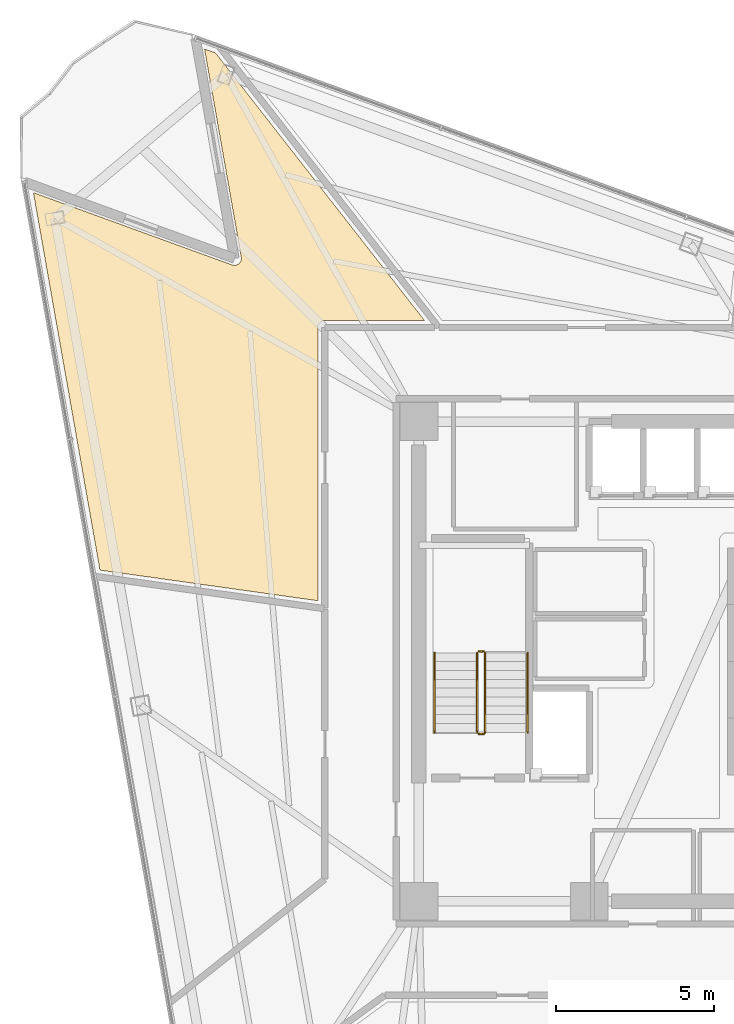
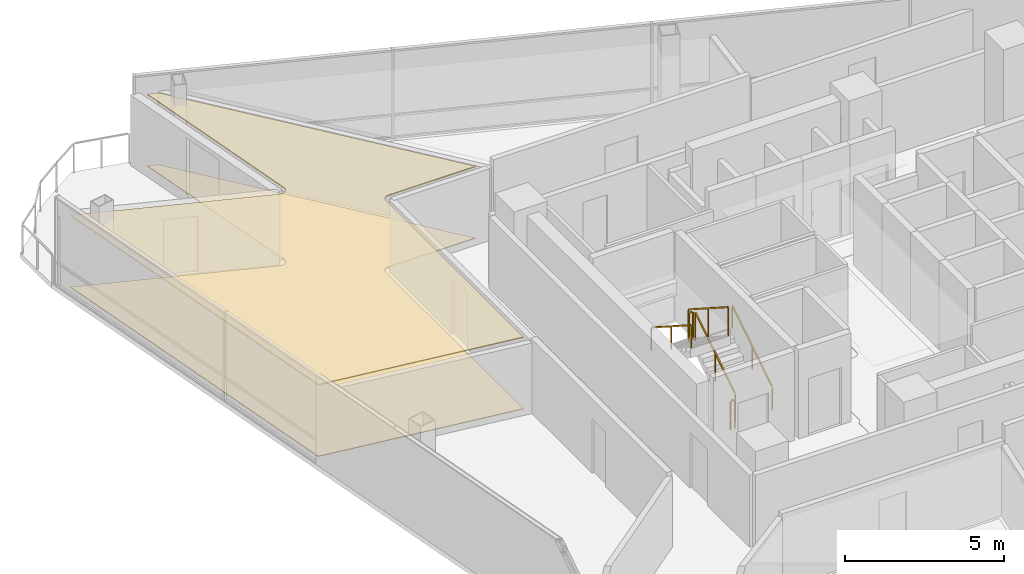
# One storey, part 14 of 16: 6 railings, 2 coverings.
"""IFC4 building model written with IfcOpenShell, lengths in metres."""

from ifc_helpers import new_model, si_unit, direction, frame, origin, origin_2d, place, context, subcontext, project, spatial, polyline, rectangle, outline, extrude, material, layer, layer_set, type_object, element, save


model = new_model("IFC4")

# Units and contexts
model_context = context("Model", 3, precision=1e-05, world=origin(), true_north=direction((0.0, 1.0)))
body_context = subcontext(model_context, "Body", "Model", "MODEL_VIEW")
ifc_project = project(units=[si_unit("LENGTHUNIT", "METRE"), si_unit("AREAUNIT", "SQUARE_METRE"), si_unit("VOLUMEUNIT", "CUBIC_METRE"), si_unit("PLANEANGLEUNIT", "RADIAN"), si_unit("MASSUNIT", "GRAM", prefix="KILO")], contexts=[model_context])

# Site, building, storey
site_placement = place(None, origin())
site = spatial("IfcSite", under=ifc_project, at=site_placement, CompositionType="ELEMENT")
building_placement = place(site_placement, origin())
building = spatial("IfcBuilding", under=site, at=building_placement, Name="Tharavind Bronze Gate", CompositionType="ELEMENT")
storey_placement = place(building_placement, frame((0.0, 0.0, 181.300048828125)))
storey = spatial("IfcBuildingStorey", under=building, at=storey_placement, Name="L46", CompositionType="ELEMENT", Elevation=181.300048828125)

# Coverings
ifc_material_1 = material(Name="Engineered Oak & Carpet Tile", Category="wood")
ifc_layer_1 = layer(ifc_material_1, 0.02490234375)
ifc_layer_set_1 = layer_set([ifc_layer_1], Name="Engineered Oak & Carpet Tile")
covering_type_1 = type_object("IfcCoveringType", Name="ENGINEERED TIMBER FLOORING", PredefinedType="FLOORING", material=ifc_layer_set_1)
covering_1_placement = place(storey_placement, origin())
element("IfcCovering", 1, at=covering_1_placement, inside=storey, type_object=covering_type_1, Name="L46-RM-03 floor finish", PredefinedType="FLOORING", context=body_context, shape_type="SweptSolid", body=[
    extrude(outline(polyline([(-19.004638671875, 2.89306640625), (-12.10009765625, 1.922607421875), (-12.10009765625, 10.579345703125), (-12.099609375, 10.590087890625), (-12.099609375, 10.5908203125), (-12.09765625, 10.6123046875), (-12.093505859375, 10.63330078125), (-12.087158203125, 10.654052734375), (-12.078857421875, 10.674072265625), (-12.068603515625, 10.693115234375), (-12.056640625, 10.7109375), (-12.04296875, 10.727783203125), (-12.027587890625, 10.742919921875), (-12.010986328125, 10.756591796875), (-11.9931640625, 10.768798828125), (-11.97412109375, 10.77880859375), (-11.9541015625, 10.787109375), (-11.933349609375, 10.79345703125), (-11.912353515625, 10.797607421875), (-11.890869140625, 10.7998046875), (-11.89013671875, 10.7998046875), (-11.87939453125, 10.800048828125), (-8.717041015625, 10.800048828125), (-15.341796875, 19.279541015625), (-15.690185546875, 19.40625), (-14.527099609375, 12.8095703125), (-14.525390625, 12.798828125), (-14.525390625, 12.798095703125), (-14.523681640625, 12.7763671875), (-14.5244140625, 12.75439453125), (-14.527099609375, 12.732666015625), (-14.531982421875, 12.711181640625), (-14.538818359375, 12.6904296875), (-14.5478515625, 12.67041015625), (-14.558837890625, 12.651611328125), (-14.571533203125, 12.6337890625), (-14.586181640625, 12.6171875), (-14.602294921875, 12.602294921875), (-14.61962890625, 12.589111328125), (-14.638427734375, 12.57763671875), (-14.658203125, 12.568115234375), (-14.6787109375, 12.560546875), (-14.699951171875, 12.55517578125), (-14.7216796875, 12.552001953125), (-14.74365234375, 12.55078125), (-14.765380859375, 12.552001953125), (-14.787109375, 12.55517578125), (-14.80859375, 12.560546875), (-14.80908203125, 12.560791015625), (-14.8193359375, 12.564208984375), (-21.114013671875, 14.855224609375), (-19.004638671875, 2.89306640625)])), origin(), (0.0, 0.0, 1.0), 0.02490234375),
])
ifc_material_2 = material(Name="Acoustic Gypsum Board", Category="gypsum")
ifc_layer_2 = layer(ifc_material_2, 0.030029296875)
ifc_layer_set_2 = layer_set([ifc_layer_2], Name="Acoustic Gypsum Board")
covering_type_2 = type_object("IfcCoveringType", Name="GYPSUM SUSPENDED CEILING", PredefinedType="CEILING", material=ifc_layer_set_2)
covering_2_placement = place(storey_placement, frame((0.0, 0.0, 2.75)))
element("IfcCovering", 2, at=covering_2_placement, inside=storey, type_object=covering_type_2, Name="L46-RM-03 suspended ceiling", PredefinedType="CEILING", context=body_context, shape_type="SweptSolid", body=[
    extrude(outline(polyline([(-19.004638671875, 2.89306640625), (-12.10009765625, 1.922607421875), (-12.10009765625, 10.579345703125), (-12.099609375, 10.590087890625), (-12.099609375, 10.5908203125), (-12.09765625, 10.6123046875), (-12.093505859375, 10.63330078125), (-12.087158203125, 10.654052734375), (-12.078857421875, 10.674072265625), (-12.068603515625, 10.693115234375), (-12.056640625, 10.7109375), (-12.04296875, 10.727783203125), (-12.027587890625, 10.742919921875), (-12.010986328125, 10.756591796875), (-11.9931640625, 10.768798828125), (-11.97412109375, 10.77880859375), (-11.9541015625, 10.787109375), (-11.933349609375, 10.79345703125), (-11.912353515625, 10.797607421875), (-11.890869140625, 10.7998046875), (-11.89013671875, 10.7998046875), (-11.87939453125, 10.800048828125), (-8.717041015625, 10.800048828125), (-15.341796875, 19.279541015625), (-15.690185546875, 19.40625), (-14.527099609375, 12.8095703125), (-14.525390625, 12.798828125), (-14.525390625, 12.798095703125), (-14.523681640625, 12.7763671875), (-14.5244140625, 12.75439453125), (-14.527099609375, 12.732666015625), (-14.531982421875, 12.711181640625), (-14.538818359375, 12.6904296875), (-14.5478515625, 12.67041015625), (-14.558837890625, 12.651611328125), (-14.571533203125, 12.6337890625), (-14.586181640625, 12.6171875), (-14.602294921875, 12.602294921875), (-14.61962890625, 12.589111328125), (-14.638427734375, 12.57763671875), (-14.658203125, 12.568115234375), (-14.6787109375, 12.560546875), (-14.699951171875, 12.55517578125), (-14.7216796875, 12.552001953125), (-14.74365234375, 12.55078125), (-14.765380859375, 12.552001953125), (-14.787109375, 12.55517578125), (-14.80859375, 12.560546875), (-14.80908203125, 12.560791015625), (-14.8193359375, 12.564208984375), (-21.114013671875, 14.855224609375), (-19.004638671875, 2.89306640625)])), origin(), (0.0, 0.0, 1.0), 0.034912109375),
])

# Railings
ifc_material_3 = material(Name="Brushed Bronze Alloy", Category="metal")
railing_type_1 = type_object("IfcRailingType", Name="STAIR BRONZE HANDRAIL 900", PredefinedType="HANDRAIL", material=ifc_material_3)
railing_1_placement = place(storey_placement, frame((-5.449951171875, -2.25, 0.179931640625)))
element("IfcRailing", 3, at=railing_1_placement, inside=storey, type_object=railing_type_1, Name="L46 ST1 stair handrail 1", PredefinedType="HANDRAIL", context=body_context, shape_type="SweptSolid", body=[
    extrude(rectangle(XDim=0.048095703125, YDim=0.048095703125, at=origin_2d()), frame((0.0, 0.02685546875, 0.89306640625), z_axis=(0.0, 0.841162588446, 0.540782303519), x_axis=(-1.0, 0.0, 0.0)), (0.0, 0.0, 1.0), 2.931884765625),
    extrude(rectangle(XDim=0.0400390625, YDim=0.0400390625, at=origin_2d()), origin(), (0.0, 0.0, 1.0), 0.847900390625),
    extrude(rectangle(XDim=0.0400390625, YDim=0.0400390625, at=origin_2d()), frame((0.0, 1.260009765625, 0.81005859375)), (0.0, 0.0, 1.0), 0.847900390625),
    extrude(rectangle(XDim=0.0400390625, YDim=0.0400390625, at=origin_2d()), frame((0.0, 2.52001953125, 1.6201171875)), (0.0, 0.0, 1.0), 0.847900390625),
])
railing_2_placement = place(storey_placement, frame((-8.39990234375, 0.27001953125, 1.97998046875)))
element("IfcRailing", 4, at=railing_2_placement, inside=storey, type_object=railing_type_1, Name="L46 ST1 stair handrail 2", PredefinedType="HANDRAIL", context=body_context, shape_type="SweptSolid", body=[
    extrude(rectangle(XDim=0.048095703125, YDim=0.048095703125, at=origin_2d()), frame((0.0, -0.02685546875, 0.89306640625), z_axis=(0.0, -0.841199657755, 0.540724639528), x_axis=(1.0, 0.0, 0.0)), (0.0, 0.0, 1.0), 2.931640625),
    extrude(rectangle(XDim=0.0400390625, YDim=0.0400390625, at=origin_2d()), origin(), (0.0, 0.0, 1.0), 0.847900390625),
    extrude(rectangle(XDim=0.0400390625, YDim=0.0400390625, at=origin_2d()), frame((0.0, -1.260009765625, 0.81005859375)), (0.0, 0.0, 1.0), 0.847900390625),
    extrude(rectangle(XDim=0.0400390625, YDim=0.0400390625, at=origin_2d()), frame((0.0, -2.52001953125, 1.619873046875)), (0.0, 0.0, 1.0), 0.847900390625),
])
railing_type_2 = type_object("IfcRailingType", Name="STAIR WELL GUARD RAILING 1120", PredefinedType="GUARDRAIL", material=ifc_material_3)
railing_3_placement = place(storey_placement, frame((-6.800048828125, -2.25, 0.179931640625)))
element("IfcRailing", 5, at=railing_3_placement, inside=storey, type_object=railing_type_2, Name="L46 ST1 stair guard 1", PredefinedType="GUARDRAIL", context=body_context, shape_type="SweptSolid", body=[
    extrude(rectangle(XDim=0.048095703125, YDim=0.048095703125, at=origin_2d()), frame((0.0, 0.02685546875, 1.11328125), z_axis=(0.0, 0.841162588446, 0.540782303519), x_axis=(-1.0, 0.0, 0.0)), (0.0, 0.0, 1.0), 2.931884765625),
    extrude(rectangle(XDim=0.0400390625, YDim=0.0400390625, at=origin_2d()), origin(), (0.0, 0.0, 1.0), 1.068115234375),
    extrude(rectangle(XDim=0.0400390625, YDim=0.0400390625, at=origin_2d()), frame((0.0, 1.260009765625, 0.81005859375)), (0.0, 0.0, 1.0), 1.068115234375),
    extrude(rectangle(XDim=0.0400390625, YDim=0.0400390625, at=origin_2d()), frame((0.0, 2.52001953125, 1.6201171875)), (0.0, 0.0, 1.0), 1.068115234375),
])
railing_4_placement = place(storey_placement, frame((-6.85009765625, 0.320068359375, 1.800048828125)))
element("IfcRailing", 6, at=railing_4_placement, inside=storey, type_object=railing_type_2, Name="L46 ST1 stair guard 2", PredefinedType="GUARDRAIL", context=body_context, shape_type="SweptSolid", body=[
    extrude(rectangle(XDim=0.048095703125, YDim=0.048095703125, at=origin_2d()), frame((-0.031982421875, 0.0, 1.09619140625), z_axis=(-1.0, 0.0, 0.0), x_axis=(0.0, -1.0, 0.0)), (0.0, 0.0, 1.0), 0.0859375),
    extrude(rectangle(XDim=0.0400390625, YDim=0.0400390625, at=origin_2d()), origin(), (0.0, 0.0, 1.0), 1.068115234375),
    extrude(rectangle(XDim=0.0400390625, YDim=0.0400390625, at=origin_2d()), frame((-0.14990234375, 0.0, 0.0)), (0.0, 0.0, 1.0), 1.068115234375),
])
railing_5_placement = place(storey_placement, frame((-7.050048828125, 0.27001953125, 1.97998046875)))
element("IfcRailing", 7, at=railing_5_placement, inside=storey, type_object=railing_type_2, Name="L46 ST1 stair guard 3", PredefinedType="GUARDRAIL", context=body_context, shape_type="SweptSolid", body=[
    extrude(rectangle(XDim=0.048095703125, YDim=0.048095703125, at=origin_2d()), frame((0.0, -0.02685546875, 1.11328125), z_axis=(0.0, -0.841199657755, 0.540724639528), x_axis=(1.0, 0.0, 0.0)), (0.0, 0.0, 1.0), 2.931640625),
    extrude(rectangle(XDim=0.0400390625, YDim=0.0400390625, at=origin_2d()), origin(), (0.0, 0.0, 1.0), 1.068115234375),
    extrude(rectangle(XDim=0.0400390625, YDim=0.0400390625, at=origin_2d()), frame((0.0, -1.260009765625, 0.81005859375)), (0.0, 0.0, 1.0), 1.068115234375),
    extrude(rectangle(XDim=0.0400390625, YDim=0.0400390625, at=origin_2d()), frame((0.0, -2.52001953125, 1.619873046875)), (0.0, 0.0, 1.0), 1.068115234375),
])
railing_6_placement = place(storey_placement, frame((-6.85009765625, -2.300048828125, 0.0)))
element("IfcRailing", 8, at=railing_6_placement, inside=storey, type_object=railing_type_2, Name="L46 ST1 stair guard 4", PredefinedType="GUARDRAIL", context=body_context, shape_type="SweptSolid", body=[
    extrude(rectangle(XDim=0.048095703125, YDim=0.048095703125, at=origin_2d()), frame((-0.031982421875, 0.0, 1.09619140625), z_axis=(-1.0, 0.0, 0.0), x_axis=(0.0, -1.0, 0.0)), (0.0, 0.0, 1.0), 0.0859375),
    extrude(rectangle(XDim=0.0400390625, YDim=0.0400390625, at=origin_2d()), origin(), (0.0, 0.0, 1.0), 1.068115234375),
    extrude(rectangle(XDim=0.0400390625, YDim=0.0400390625, at=origin_2d()), frame((-0.14990234375, 0.0, 0.0)), (0.0, 0.0, 1.0), 1.068115234375),
])

save(model, "model.ifc")
